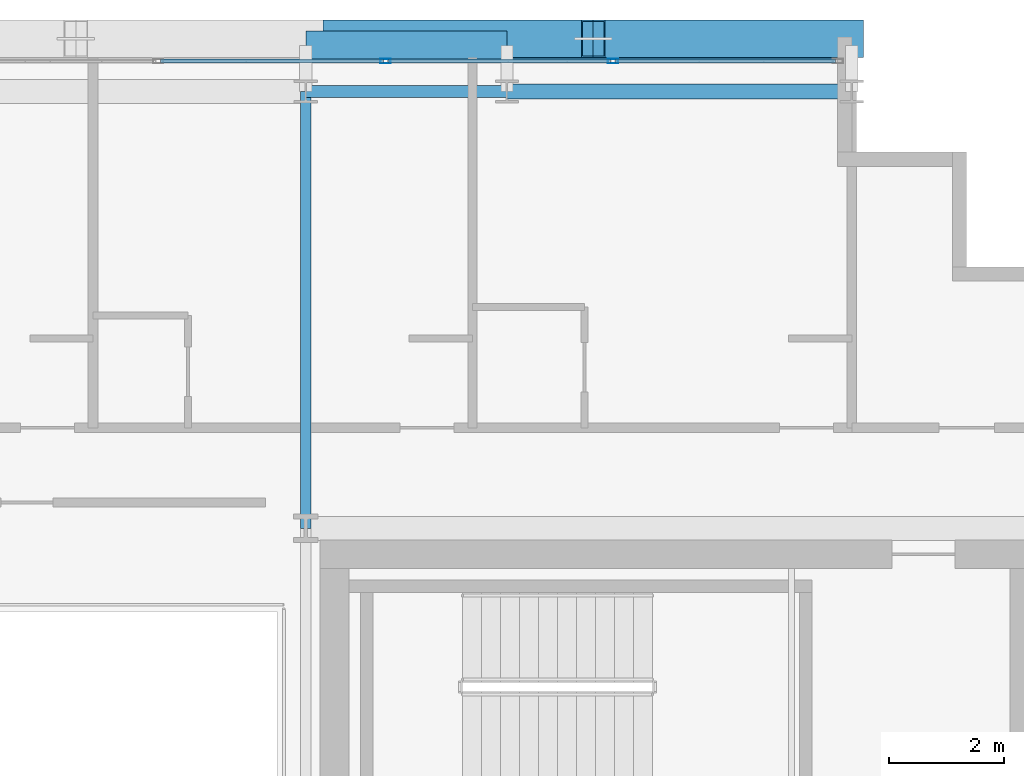
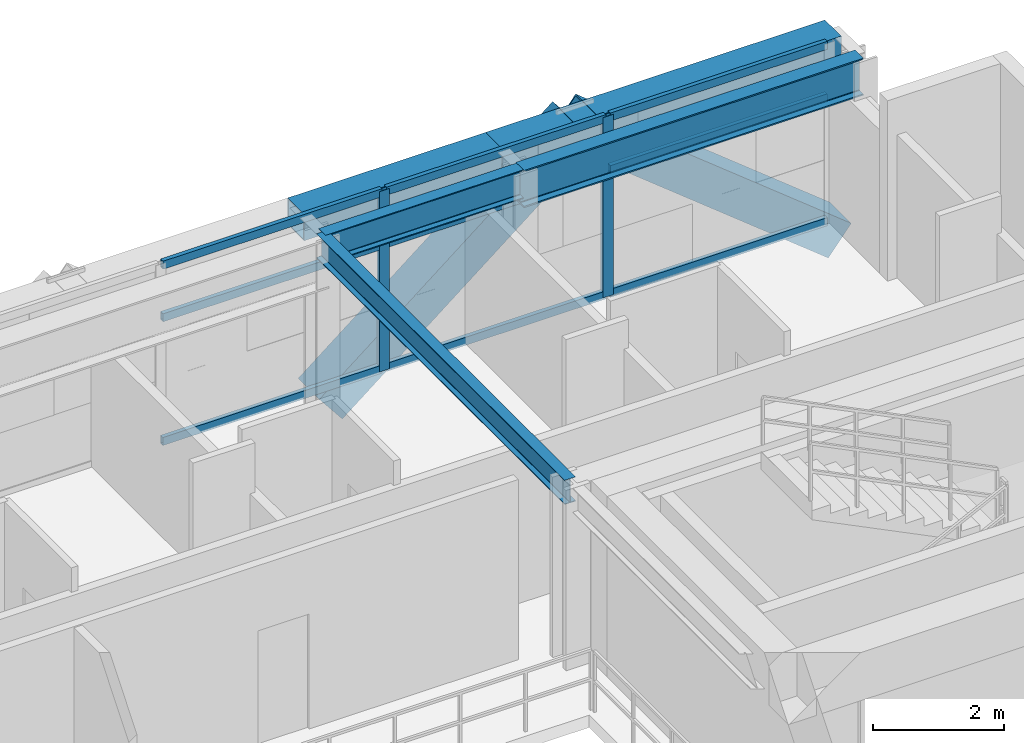
# One storey, part 18 of 31: 13 members, 5 beams, 1 element without a shape of its own.
"""IFC4 building model written with IfcOpenShell, lengths in metres."""

from ifc_helpers import new_model, si_unit, direction, frame, origin, origin_2d, place, context, subcontext, project, spatial, hollow_rectangle, i_section, extrude, source, transform, mapped, material, layer, layer_set, material_profile, profile_set, type_object, element, aggregate, save


model = new_model("IFC4")

# Units and contexts
model_context = context("Model", 3, precision=1e-05, world=origin(), true_north=direction((0.0, 1.0)))
body_context = subcontext(model_context, "Body", "Model", "MODEL_VIEW")
ifc_project = project(units=[si_unit("LENGTHUNIT", "METRE"), si_unit("AREAUNIT", "SQUARE_METRE"), si_unit("VOLUMEUNIT", "CUBIC_METRE"), si_unit("PLANEANGLEUNIT", "RADIAN"), si_unit("MASSUNIT", "GRAM", prefix="KILO")], contexts=[model_context])

# Site, building, storey
site_placement = place(None, origin())
site = spatial("IfcSite", under=ifc_project, at=site_placement, CompositionType="ELEMENT")
building_placement = place(site_placement, origin())
building = spatial("IfcBuilding", under=site, at=building_placement, Name="Ocotamira Hotel", CompositionType="ELEMENT")
storey_placement = place(building_placement, frame((0.0, 0.0, 202.800048828125)))
storey = spatial("IfcBuildingStorey", under=building, at=storey_placement, Name="L51", CompositionType="ELEMENT", Elevation=202.800048828125)

# Beams
ifc_material_1 = material(Name="Steel ASTM A992 Grade 50", Category="steel")
ifc_material_profile_1 = material_profile(ifc_material_1, i_section(OverallWidth=0.256103515625, OverallDepth=0.693115234375, WebThickness=0.014404296875, FlangeThickness=0.023681640625, FilletRadius=0.01611328125, at=origin_2d()), Name="W27X114")
ifc_profile_set_1 = profile_set([ifc_material_profile_1], Name="Steel ASTM A992 Grade 50")
beam_type_1 = type_object("IfcBeamType", Name="BM-PRIM-W27X114", PredefinedType="BEAM", material=ifc_profile_set_1)
shared_shape_1 = source(origin(), body_context, "Body", "SweptSolid", [
    extrude(i_section(OverallWidth=0.256103515625, OverallDepth=0.693115234375, WebThickness=0.014404296875, FlangeThickness=0.023681640625, FilletRadius=0.01611328125, at=origin_2d()), origin(), (0.0, 0.0, 1.0), 6.0),
])
beam_1_placement = place(storey_placement, frame((44.0, 45.050048828125, 3.0234375), z_axis=(1.0, 0.0, 0.0), x_axis=(0.0, 1.0, 0.0)))
element("IfcBeam", 1, at=beam_1_placement, inside=storey, type_object=beam_type_1, Name="L51 Girder Y45.05 X44-50", PredefinedType="BEAM", context=body_context, shape_type="MappedRepresentation", body=[
    mapped(shared_shape_1, transform((0.0, 0.0, 0.0), scale=1.0)),
])
ifc_material_profile_2 = material_profile(ifc_material_1, i_section(OverallWidth=0.2099609375, OverallDepth=0.537109375, WebThickness=0.010986328125, FlangeThickness=0.017333984375, FilletRadius=0.012939453125, at=origin_2d()), Name="W21X68")
ifc_profile_set_2 = profile_set([ifc_material_profile_2], Name="Steel ASTM A992 Grade 50")
beam_type_2 = type_object("IfcBeamType", Name="BM-SEC-W21X68", PredefinedType="JOIST", material=ifc_profile_set_2)
shared_shape_2 = source(origin(), body_context, "Body", "SweptSolid", [
    extrude(i_section(OverallWidth=0.2099609375, OverallDepth=0.537109375, WebThickness=0.010986328125, FlangeThickness=0.017333984375, FilletRadius=0.012939453125, at=origin_2d()), origin(), (0.0, 0.0, 1.0), 3.5),
])
beam_2_placement = place(storey_placement, frame((40.5, 45.050048828125, 3.1015625), z_axis=(1.0, 0.0, 0.0), x_axis=(0.0, 1.0, 0.0)))
element("IfcBeam", 2, at=beam_2_placement, inside=storey, type_object=beam_type_2, Name="L51 Girder Y45.05 X40.5-44", PredefinedType="JOIST", context=body_context, shape_type="MappedRepresentation", body=[
    mapped(shared_shape_2, transform((0.0, 0.0, 0.0), scale=1.0)),
])
ifc_material_2 = material(Name="Steel ASTM A500 Grade C", Category="steel")
ifc_material_profile_3 = material_profile(ifc_material_2, hollow_rectangle(XDim=0.5, YDim=0.5, WallThickness=0.02001953125, at=origin_2d()), Name="HSS500X500X20")
ifc_profile_set_3 = profile_set([ifc_material_profile_3], Name="Steel ASTM A500 Grade C")
beam_type_3 = type_object("IfcBeamType", Name="BM-SPAN-HSS500", PredefinedType="USERDEFINED", material=ifc_profile_set_3)
shared_shape_3 = source(origin(), body_context, "Body", "SweptSolid", [
    extrude(hollow_rectangle(XDim=0.5, YDim=0.5, WallThickness=0.02001953125, at=origin_2d()), origin(), (0.0, 0.0, 1.0), 6.0),
])
beam_3_placement = place(storey_placement, frame((44.0, 45.85009765625, 3.119873046875), z_axis=(1.0, 0.0, 0.0), x_axis=(0.0, 1.0, 0.0)))
element("IfcBeam", 3, at=beam_3_placement, inside=storey, type_object=beam_type_3, Name="L51 Edge Spandrel N X44-50", ObjectType="SPANDREL", PredefinedType="USERDEFINED", context=body_context, shape_type="MappedRepresentation", body=[
    mapped(shared_shape_3, transform((0.0, 0.0, 0.0), scale=1.0)),
])
shared_shape_4 = source(origin(), body_context, "Body", "SweptSolid", [
    extrude(hollow_rectangle(XDim=0.5, YDim=0.5, WallThickness=0.02001953125, at=origin_2d()), origin(), (0.0, 0.0, 1.0), 3.5),
])
beam_4_placement = place(storey_placement, frame((40.5, 45.85009765625, 3.119873046875), z_axis=(1.0, 0.0, 0.0), x_axis=(0.0, 1.0, 0.0)))
element("IfcBeam", 4, at=beam_4_placement, inside=storey, type_object=beam_type_3, Name="L51 Edge Spandrel N X40.5-44", ObjectType="SPANDREL", PredefinedType="USERDEFINED", context=body_context, shape_type="MappedRepresentation", body=[
    mapped(shared_shape_4, transform((0.0, 0.0, 0.0), scale=1.0)),
])
ifc_material_profile_4 = material_profile(ifc_material_1, i_section(OverallWidth=0.18994140625, OverallDepth=0.45703125, WebThickness=0.009033203125, FlangeThickness=0.014404296875, FilletRadius=0.010009765625, at=origin_2d()), Name="W18X50")
ifc_profile_set_4 = profile_set([ifc_material_profile_4], Name="Steel ASTM A992 Grade 50")
beam_type_4 = type_object("IfcBeamType", Name="BM-SEC-W18X50", PredefinedType="JOIST", material=ifc_profile_set_4)
shared_shape_5 = source(origin(), body_context, "Body", "SweptSolid", [
    extrude(i_section(OverallWidth=0.18994140625, OverallDepth=0.45703125, WebThickness=0.009033203125, FlangeThickness=0.014404296875, FilletRadius=0.010009765625, at=origin_2d()), origin(), (0.0, 0.0, 1.0), 7.60009765625),
])
beam_5_placement = place(storey_placement, frame((40.5, 37.449951171875, 3.141357421875), z_axis=(0.0, 1.0, 0.0), x_axis=(-1.0, 0.0, 0.0)))
element("IfcBeam", 5, at=beam_5_placement, inside=storey, type_object=beam_type_4, Name="L51 Beam X40.5 Y37.45-45.05", PredefinedType="JOIST", context=body_context, shape_type="MappedRepresentation", body=[
    mapped(shared_shape_5, transform((0.0, 0.0, 0.0), scale=1.0)),
])

# Members
ifc_material_3 = material(Name="Pale-metal coated steel ASTM A913 Grade 65", Category="steel")
ifc_material_profile_5 = material_profile(ifc_material_3, hollow_rectangle(XDim=0.64990234375, YDim=0.64990234375, WallThickness=0.02197265625, at=origin_2d()), Name="BOX650X650X22")
ifc_profile_set_5 = profile_set([ifc_material_profile_5], Name="Pale-metal coated steel ASTM A913 Grade 65")
member_type_1 = type_object("IfcMemberType", Name="MEM-EXO-BOX650", PredefinedType="BRACE", material=ifc_profile_set_5)
shared_shape_6 = source(origin(), body_context, "Body", "SweptSolid", [
    extrude(hollow_rectangle(XDim=0.64990234375, YDim=0.64990234375, WallThickness=0.02197265625, at=origin_2d()), origin(), (0.0, 0.0, 1.0), 5.7626953125),
])
for number, where, z_axis, x_axis, name in (
    (6, (41.0, 45.969970703125, -0.47998046875), (0.780881208953, 0.0, 0.624679547852), (0.0, 1.0, 0.0), "L51 Exoskeleton Diagrid N3.1"),
    (7, (50.0, 45.969970703125, -0.47998046875), (-0.780881208953, 0.0, 0.624679547852), (0.0, -1.0, 0.0), "L51 Exoskeleton Diagrid N3.2"),
):
    element("IfcMember", number, at=place(storey_placement, frame(where, z_axis=z_axis, x_axis=x_axis)), inside=storey, type_object=member_type_1, Name=name, PredefinedType="BRACE", context=body_context, shape_type="MappedRepresentation", body=[
        mapped(shared_shape_6, transform((0.0, 0.0, 0.0), scale=1.0)),
    ])

# Curtain wall, members
ifc_material_4 = material(Name="Anodised pale-metal aluminium and solar glass", Category="aluminium")
ifc_layer = layer(ifc_material_4, 0.199951171875)
ifc_layer_set = layer_set([ifc_layer], Name="Anodised pale-metal aluminium and solar glass")
curtain_wall_type = type_object("IfcCurtainWallType", Name="CW-SYS4-Z3", PredefinedType="NOTDEFINED", material=ifc_layer_set)
curtain_wall_placement = place(storey_placement, origin())
curtain_wall = element("IfcCurtainWall", 8, at=curtain_wall_placement, inside=storey, type_object=curtain_wall_type, Name="L51 Curtain Wall CW-4 CW-L51-N", PredefinedType="NOTDEFINED")
ifc_material_5 = material(Name="Anodised pale-metal aluminium 6063-T6", Category="aluminium")
ifc_material_profile_6 = material_profile(ifc_material_5, hollow_rectangle(XDim=0.074951171875, YDim=0.14990234375, WallThickness=0.006103515625, at=origin_2d()), Name="HSS150X75X6")
ifc_profile_set_6 = profile_set([ifc_material_profile_6], Name="Anodised pale-metal aluminium 6063-T6")
member_type_2 = type_object("IfcMemberType", Name="CWT-150X75", PredefinedType="USERDEFINED", material=ifc_profile_set_6)
shared_shape_7 = source(origin(), body_context, "Body", "SweptSolid", [
    extrude(hollow_rectangle(XDim=0.074951171875, YDim=0.14990234375, WallThickness=0.006103515625, at=origin_2d()), origin(), (0.0, 0.0, 1.0), 3.83544921875),
])
member_1_placement = place(storey_placement, frame((45.884521484375, 45.580078125, 0.037353515625), z_axis=(1.0, 0.0, 0.0), x_axis=(0.0, 1.0, 0.0)))
member_1 = element("IfcMember", 9, at=member_1_placement, type_object=member_type_2, Name="CW-4 transom 9.1", ObjectType="TRANSOM", PredefinedType="USERDEFINED", context=body_context, shape_type="MappedRepresentation", body=[
    mapped(shared_shape_7, transform((0.0, 0.0, 0.0), scale=1.0)),
])
member_2_placement = place(storey_placement, frame((45.884521484375, 45.580078125, 2.349853515625), z_axis=(1.0, 0.0, 0.0), x_axis=(0.0, 1.0, 0.0)))
member_2 = element("IfcMember", 10, at=member_2_placement, type_object=member_type_2, Name="CW-4 transom 9.2", ObjectType="TRANSOM", PredefinedType="USERDEFINED", context=body_context, shape_type="MappedRepresentation", body=[
    mapped(shared_shape_7, transform((0.0, 0.0, 0.0), scale=1.0)),
])
member_3_placement = place(storey_placement, frame((45.884521484375, 45.580078125, 3.33251953125), z_axis=(1.0, 0.0, 0.0), x_axis=(0.0, 1.0, 0.0)))
member_3 = element("IfcMember", 11, at=member_3_placement, type_object=member_type_2, Name="CW-4 transom 9.3", ObjectType="TRANSOM", PredefinedType="USERDEFINED", context=body_context, shape_type="MappedRepresentation", body=[
    mapped(shared_shape_7, transform((0.0, 0.0, 0.0), scale=1.0)),
])
shared_shape_8 = source(origin(), body_context, "Body", "SweptSolid", [
    extrude(hollow_rectangle(XDim=0.074951171875, YDim=0.14990234375, WallThickness=0.006103515625, at=origin_2d()), origin(), (0.0, 0.0, 1.0), 3.87548828125),
])
member_4_placement = place(storey_placement, frame((37.973388671875, 45.580078125, 0.037353515625), z_axis=(1.0, 0.0, 0.0), x_axis=(0.0, 1.0, 0.0)))
member_4 = element("IfcMember", 12, at=member_4_placement, type_object=member_type_2, Name="CW-4 transom 7.1", ObjectType="TRANSOM", PredefinedType="USERDEFINED", context=body_context, shape_type="MappedRepresentation", body=[
    mapped(shared_shape_8, transform((0.0, 0.0, 0.0), scale=1.0)),
])
member_5_placement = place(storey_placement, frame((37.973388671875, 45.580078125, 2.349853515625), z_axis=(1.0, 0.0, 0.0), x_axis=(0.0, 1.0, 0.0)))
member_5 = element("IfcMember", 13, at=member_5_placement, type_object=member_type_2, Name="CW-4 transom 7.2", ObjectType="TRANSOM", PredefinedType="USERDEFINED", context=body_context, shape_type="MappedRepresentation", body=[
    mapped(shared_shape_8, transform((0.0, 0.0, 0.0), scale=1.0)),
])
member_6_placement = place(storey_placement, frame((37.973388671875, 45.580078125, 3.33251953125), z_axis=(1.0, 0.0, 0.0), x_axis=(0.0, 1.0, 0.0)))
member_6 = element("IfcMember", 14, at=member_6_placement, type_object=member_type_2, Name="CW-4 transom 7.3", ObjectType="TRANSOM", PredefinedType="USERDEFINED", context=body_context, shape_type="MappedRepresentation", body=[
    mapped(shared_shape_8, transform((0.0, 0.0, 0.0), scale=1.0)),
])
member_7_placement = place(storey_placement, frame((41.928955078125, 45.580078125, 0.037353515625), z_axis=(1.0, 0.0, 0.0), x_axis=(0.0, 1.0, 0.0)))
member_7 = element("IfcMember", 15, at=member_7_placement, type_object=member_type_2, Name="CW-4 transom 8.1", ObjectType="TRANSOM", PredefinedType="USERDEFINED", context=body_context, shape_type="MappedRepresentation", body=[
    mapped(shared_shape_8, transform((0.0, 0.0, 0.0), scale=1.0)),
])
member_8_placement = place(storey_placement, frame((41.928955078125, 45.580078125, 2.349853515625), z_axis=(1.0, 0.0, 0.0), x_axis=(0.0, 1.0, 0.0)))
member_8 = element("IfcMember", 16, at=member_8_placement, type_object=member_type_2, Name="CW-4 transom 8.2", ObjectType="TRANSOM", PredefinedType="USERDEFINED", context=body_context, shape_type="MappedRepresentation", body=[
    mapped(shared_shape_8, transform((0.0, 0.0, 0.0), scale=1.0)),
])
member_9_placement = place(storey_placement, frame((41.928955078125, 45.580078125, 3.33251953125), z_axis=(1.0, 0.0, 0.0), x_axis=(0.0, 1.0, 0.0)))
member_9 = element("IfcMember", 17, at=member_9_placement, type_object=member_type_2, Name="CW-4 transom 8.3", ObjectType="TRANSOM", PredefinedType="USERDEFINED", context=body_context, shape_type="MappedRepresentation", body=[
    mapped(shared_shape_8, transform((0.0, 0.0, 0.0), scale=1.0)),
])
ifc_material_profile_7 = material_profile(ifc_material_5, hollow_rectangle(XDim=0.080078125, YDim=0.179931640625, WallThickness=0.006103515625, at=origin_2d()), Name="HSS180X80X6")
ifc_profile_set_7 = profile_set([ifc_material_profile_7], Name="Anodised pale-metal aluminium 6063-T6")
member_type_3 = type_object("IfcMemberType", Name="CWM-180X75", PredefinedType="MULLION", material=ifc_profile_set_7)
shared_shape_9 = source(origin(), body_context, "Body", "SweptSolid", [
    extrude(hollow_rectangle(XDim=0.080078125, YDim=0.179931640625, WallThickness=0.006103515625, at=origin_2d()), origin(), (0.0, 0.0, 1.0), 3.369873046875),
])
member_10_placement = place(storey_placement, frame((41.888916015625, 45.580078125, 0.0), z_axis=(0.0, 0.0, 1.0), x_axis=(0.0, 1.0, 0.0)))
member_10 = element("IfcMember", 18, at=member_10_placement, type_object=member_type_3, Name="CW-4 mullion 8", PredefinedType="MULLION", context=body_context, shape_type="MappedRepresentation", body=[
    mapped(shared_shape_9, transform((0.0, 0.0, 0.0), scale=1.0)),
])
member_11_placement = place(storey_placement, frame((45.844482421875, 45.580078125, 0.0), z_axis=(0.0, 0.0, 1.0), x_axis=(0.0, 1.0, 0.0)))
member_11 = element("IfcMember", 19, at=member_11_placement, type_object=member_type_3, Name="CW-4 mullion 9", PredefinedType="MULLION", context=body_context, shape_type="MappedRepresentation", body=[
    mapped(shared_shape_9, transform((0.0, 0.0, 0.0), scale=1.0)),
])
aggregate(curtain_wall, [member_10, member_11, member_4, member_5, member_6, member_7, member_8, member_9, member_1, member_2, member_3])

save(model, "model.ifc")
